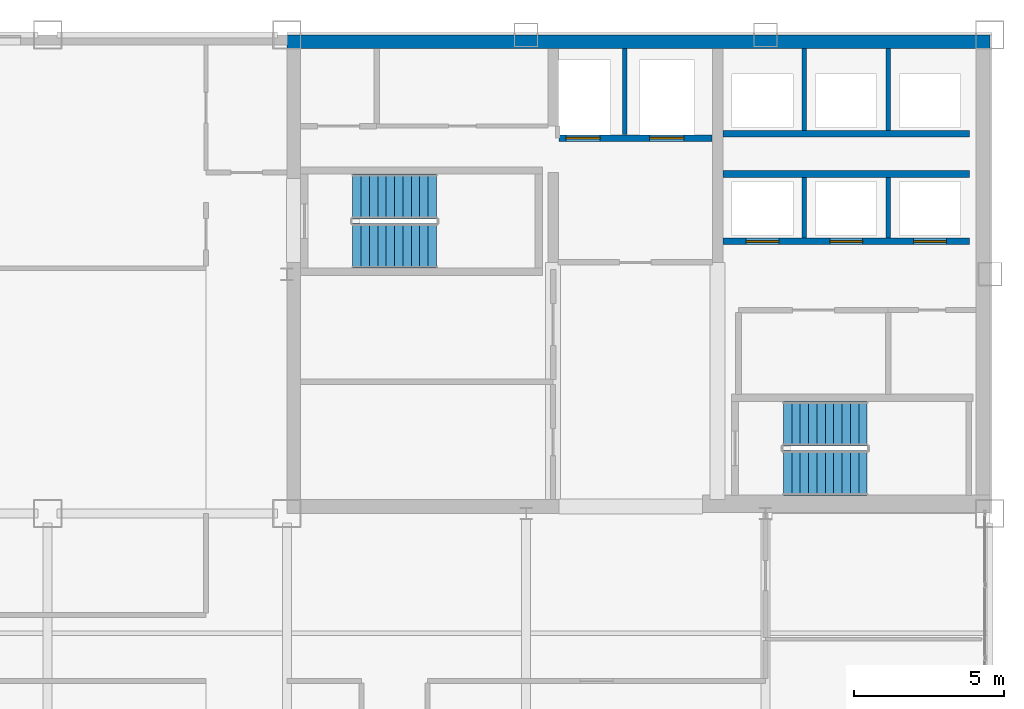
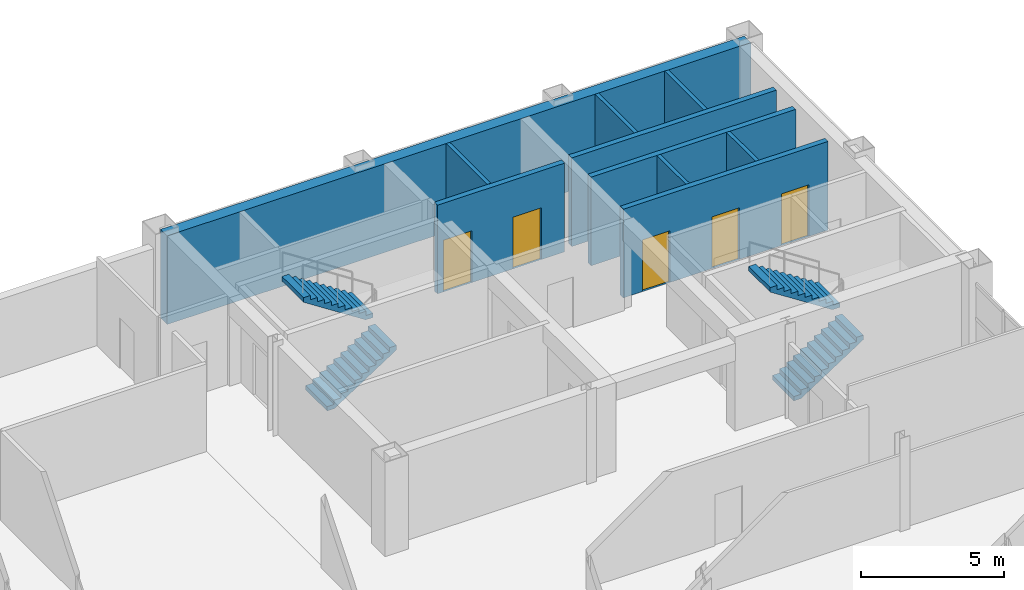
# One storey, part 10 of 12: 10 walls, 5 doors, 4 stair flights, 5 openings, 2 elements without a shape of their own.
"""IFC4 building model written with IfcOpenShell, lengths in metres."""

from ifc_helpers import new_model, si_unit, direction, frame, frame_2d, origin, place, context, subcontext, project, spatial, polyline, rectangle, outline, extrude, material, layer, layer_set, type_object, element, fill, aggregate, save


model = new_model("IFC4")

# Units and contexts
model_context = context("Model", 3, precision=1e-05, world=origin(), true_north=direction((0.0, 1.0)))
body_context = subcontext(model_context, "Body", "Model", "MODEL_VIEW")
ifc_project = project(units=[si_unit("LENGTHUNIT", "METRE"), si_unit("AREAUNIT", "SQUARE_METRE"), si_unit("VOLUMEUNIT", "CUBIC_METRE"), si_unit("PLANEANGLEUNIT", "RADIAN"), si_unit("MASSUNIT", "GRAM", prefix="KILO")], contexts=[model_context])

# Site, building, storey
site_placement = place(None, origin())
site = spatial("IfcSite", under=ifc_project, at=site_placement, CompositionType="ELEMENT")
building_placement = place(site_placement, origin())
building = spatial("IfcBuilding", under=site, at=building_placement, Name="Qianrong Seaharbour Tower", CompositionType="ELEMENT")
storey_placement = place(building_placement, frame((0.0, 0.0, 213.800048828125)))
storey = spatial("IfcBuildingStorey", under=building, at=storey_placement, Name="L51", CompositionType="ELEMENT", Elevation=213.800048828125)

# Walls
ifc_material_1 = material(Name="Concrete C60/75", Category="concrete")
ifc_layer_1 = layer(ifc_material_1, 0.4599609375)
ifc_layer_set_1 = layer_set([ifc_layer_1], Name="Concrete C60/75")
wall_type_1 = type_object("IfcWallType", Name="WALL-CORE-460", PredefinedType="SHEAR", material=ifc_layer_set_1)
wall_1_placement = place(storey_placement, frame((40.5, 51.77001953125, 0.0), z_axis=(0.0, 0.0, 1.0), x_axis=(1.0, 0.0, 0.0)))
element("IfcWall", 1, at=wall_1_placement, inside=storey, type_object=wall_type_1, Name="L51 North Core Shear Wall", PredefinedType="SHEAR", context=body_context, shape_type="SweptSolid", body=[
    extrude(rectangle(XDim=23.5, YDim=0.4599609375, at=frame_2d((11.75, 0.0))), origin(), (0.0, 0.0, 1.0), 3.77490234375),
])
ifc_material_2 = material(Name="Fire-rated gypsum board on steel studs", Category="steel")
ifc_layer_2 = layer(ifc_material_2, 0.14990234375)
ifc_layer_set_2 = layer_set([ifc_layer_2], Name="Fire-rated gypsum board on steel studs")
wall_type_2 = type_object("IfcWallType", Name="WALL-SHAFT-DIV-150", PredefinedType="PARTITIONING", material=ifc_layer_set_2)
wall_2_placement = place(storey_placement, frame((51.800048828125, 48.669921875, 0.0), z_axis=(0.0, 0.0, 1.0), x_axis=(0.0, 1.0, 0.0)))
element("IfcWall", 2, at=wall_2_placement, inside=storey, type_object=wall_type_2, Name="L51 Firefighting Lift Shaft Divider Wall", PredefinedType="PARTITIONING", context=body_context, shape_type="SweptSolid", body=[
    extrude(rectangle(XDim=2.8701171875, YDim=0.14990234375, at=frame_2d((1.43505859375, 0.0))), origin(), (0.0, 0.0, 1.0), 3.77490234375),
])
for number, where, z_axis, x_axis, name in (
    (3, (57.800048828125, 45.2099609375, 0.0), (0.0, 0.0, 1.0), (0.0, 1.0, 0.0), "L51 P3 Lift Hoistway Divider 2"),
    (4, (60.60009765625, 45.2099609375, 0.0), (0.0, 0.0, 1.0), (0.0, 1.0, 0.0), "L51 P3 Lift Hoistway Divider 3"),
):
    element("IfcWall", number, at=place(storey_placement, frame(where, z_axis=z_axis, x_axis=x_axis)), inside=storey, type_object=wall_type_2, Name=name, PredefinedType="PARTITIONING", context=body_context, shape_type="SweptSolid", body=[
        extrude(rectangle(XDim=2.030029296875, YDim=0.14990234375, at=frame_2d((1.01513671875, 0.0))), origin(), (0.0, 0.0, 1.0), 3.77490234375),
    ])
for number, where, z_axis, x_axis, name in (
    (5, (57.800048828125, 48.81005859375, 0.0), (0.0, 0.0, 1.0), (0.0, 1.0, 0.0), "L51 P4 Lift Hoistway Divider 2"),
    (6, (60.60009765625, 48.81005859375, 0.0), (0.0, 0.0, 1.0), (0.0, 1.0, 0.0), "L51 P4 Lift Hoistway Divider 3"),
):
    element("IfcWall", number, at=place(storey_placement, frame(where, z_axis=z_axis, x_axis=x_axis)), inside=storey, type_object=wall_type_2, Name=name, PredefinedType="PARTITIONING", context=body_context, shape_type="SweptSolid", body=[
        extrude(rectangle(XDim=2.72998046875, YDim=0.14990234375, at=frame_2d((1.364990234375, 0.0))), origin(), (0.0, 0.0, 1.0), 3.77490234375),
    ])

# Wall, openings, doors
ifc_layer_3 = layer(ifc_material_2, 0.219970703125)
ifc_layer_set_3 = layer_set([ifc_layer_3], Name="Fire-rated gypsum board on steel studs")
wall_type_3 = type_object("IfcWallType", Name="WALL-SHAFT-GYP220", PredefinedType="PARTITIONING", material=ifc_layer_set_3)
wall_3_placement = place(storey_placement, frame((54.7099609375, 48.550048828125, 0.0), z_axis=(0.0, 0.0, 1.0), x_axis=(-1.0, 0.0, 0.0)))
wall_3 = element("IfcWall", 7, at=wall_3_placement, inside=storey, type_object=wall_type_3, Name="L51 Firefighting Lift Shaft Front Wall", PredefinedType="PARTITIONING", context=body_context, shape_type="SweptSolid", body=[
    extrude(rectangle(XDim=5.119873046875, YDim=0.219970703125, at=frame_2d((2.56005859375, 0.0))), origin(), (0.0, 0.0, 1.0), 3.77490234375),
])
opening_1_placement = place(wall_3_placement, frame((3.735107421875, 0.0, 0.0)))
opening_1 = element("IfcOpeningElement", 8, at=opening_1_placement, cuts=wall_3, Name="Opening LD-01", PredefinedType="OPENING", context=body_context, shape_type="SweptSolid", body=[
    extrude(rectangle(XDim=1.14990234375, YDim=2.199951171875, at=frame_2d((0.574951171875, 1.10009765625))), frame((0.0, 0.1201171875, 0.0), z_axis=(0.0, -1.0, 0.0), x_axis=(1.0, 0.0, 0.0)), (0.0, 0.0, 1.0), 0.239990234375),
])
opening_2_placement = place(wall_3_placement, frame((0.93505859375, 0.0, 0.0)))
opening_2 = element("IfcOpeningElement", 9, at=opening_2_placement, cuts=wall_3, Name="Opening LD-01", PredefinedType="OPENING", context=body_context, shape_type="SweptSolid", body=[
    extrude(rectangle(XDim=1.14990234375, YDim=2.199951171875, at=frame_2d((0.574951171875, 1.10009765625))), frame((0.0, 0.1201171875, 0.0), z_axis=(0.0, -1.0, 0.0), x_axis=(1.0, 0.0, 0.0)), (0.0, 0.0, 1.0), 0.239990234375),
])
ifc_material_3 = material(Name="Stainless steel SUS316L bi-parting lift landing door", Category="steel")
door_type_1 = type_object("IfcDoorType", Name="DOOR-LIFT-FF-1150x2200", OperationType="DOUBLE_DOOR_SLIDING", PredefinedType="DOOR", material=ifc_material_3)
door_1_placement = place(opening_1_placement, origin())
door_1 = element("IfcDoor", 10, at=door_1_placement, inside=storey, type_object=door_type_1, Name="L51 FL-1 Firefighting Lift Landing Door", OperationType="DOUBLE_DOOR_SLIDING", OverallHeight=2.199951171875, OverallWidth=1.14990234375, PredefinedType="DOOR", context=body_context, shape_type="SweptSolid", body=[
    extrude(rectangle(XDim=1.14990234375, YDim=2.199951171875, at=frame_2d((0.574951171875, 1.10009765625))), frame((0.0, 0.02490234375, 0.0), z_axis=(0.0, -1.0, 0.0), x_axis=(1.0, 0.0, 0.0)), (0.0, 0.0, 1.0), 0.050048828125),
])
fill(opening_1, door_1)
door_2_placement = place(opening_2_placement, origin())
door_2 = element("IfcDoor", 11, at=door_2_placement, inside=storey, type_object=door_type_1, Name="L51 FL-2 Firefighting Lift Landing Door", OperationType="DOUBLE_DOOR_SLIDING", OverallHeight=2.199951171875, OverallWidth=1.14990234375, PredefinedType="DOOR", context=body_context, shape_type="SweptSolid", body=[
    extrude(rectangle(XDim=1.14990234375, YDim=2.199951171875, at=frame_2d((0.574951171875, 1.10009765625))), frame((0.0, 0.02490234375, 0.0), z_axis=(0.0, -1.0, 0.0), x_axis=(1.0, 0.0, 0.0)), (0.0, 0.0, 1.0), 0.050048828125),
])
fill(opening_2, door_2)

wall_4_placement = place(storey_placement, frame((63.320068359375, 45.10009765625, 0.0), z_axis=(0.0, 0.0, 1.0), x_axis=(-1.0, 0.0, 0.0)))
wall_4 = element("IfcWall", 12, at=wall_4_placement, inside=storey, type_object=wall_type_3, Name="L51 P3 Lift Hoistway Front Wall", PredefinedType="PARTITIONING", context=body_context, shape_type="SweptSolid", body=[
    extrude(rectangle(XDim=8.239990234375, YDim=0.219970703125, at=frame_2d((4.1201171875, 0.0))), origin(), (0.0, 0.0, 1.0), 3.77490234375),
])
opening_3_placement = place(wall_4_placement, frame((6.3701171875, 0.0, 0.0)))
opening_3 = element("IfcOpeningElement", 13, at=opening_3_placement, cuts=wall_4, Name="Opening LD-02", PredefinedType="OPENING", context=body_context, shape_type="SweptSolid", body=[
    extrude(rectangle(XDim=1.10009765625, YDim=2.199951171875, at=frame_2d((0.550048828125, 1.10009765625))), frame((0.0, 0.1201171875, 0.0), z_axis=(0.0, -1.0, 0.0), x_axis=(1.0, 0.0, 0.0)), (0.0, 0.0, 1.0), 0.239990234375),
])
opening_4_placement = place(wall_4_placement, frame((3.570068359375, 0.0, 0.0)))
opening_4 = element("IfcOpeningElement", 14, at=opening_4_placement, cuts=wall_4, Name="Opening LD-02", PredefinedType="OPENING", context=body_context, shape_type="SweptSolid", body=[
    extrude(rectangle(XDim=1.10009765625, YDim=2.199951171875, at=frame_2d((0.550048828125, 1.10009765625))), frame((0.0, 0.1201171875, 0.0), z_axis=(0.0, -1.0, 0.0), x_axis=(1.0, 0.0, 0.0)), (0.0, 0.0, 1.0), 0.239990234375),
])
opening_5_placement = place(wall_4_placement, frame((0.77001953125, 0.0, 0.0)))
opening_5 = element("IfcOpeningElement", 15, at=opening_5_placement, cuts=wall_4, Name="Opening LD-02", PredefinedType="OPENING", context=body_context, shape_type="SweptSolid", body=[
    extrude(rectangle(XDim=1.10009765625, YDim=2.199951171875, at=frame_2d((0.550048828125, 1.10009765625))), frame((0.0, 0.1201171875, 0.0), z_axis=(0.0, -1.0, 0.0), x_axis=(1.0, 0.0, 0.0)), (0.0, 0.0, 1.0), 0.239990234375),
])
door_type_2 = type_object("IfcDoorType", Name="DOOR-LIFT-PASS-1100x2200", OperationType="DOUBLE_DOOR_SLIDING", PredefinedType="DOOR", material=ifc_material_3)
door_3_placement = place(opening_3_placement, origin())
door_3 = element("IfcDoor", 16, at=door_3_placement, inside=storey, type_object=door_type_2, Name="L51 PL-3A Lift Landing Door", OperationType="DOUBLE_DOOR_SLIDING", OverallHeight=2.199951171875, OverallWidth=1.10009765625, PredefinedType="DOOR", context=body_context, shape_type="SweptSolid", body=[
    extrude(rectangle(XDim=1.10009765625, YDim=2.199951171875, at=frame_2d((0.550048828125, 1.10009765625))), frame((0.0, 0.02490234375, 0.0), z_axis=(0.0, -1.0, 0.0), x_axis=(1.0, 0.0, 0.0)), (0.0, 0.0, 1.0), 0.050048828125),
])
fill(opening_3, door_3)
door_4_placement = place(opening_4_placement, origin())
door_4 = element("IfcDoor", 17, at=door_4_placement, inside=storey, type_object=door_type_2, Name="L51 PL-3B Lift Landing Door", OperationType="DOUBLE_DOOR_SLIDING", OverallHeight=2.199951171875, OverallWidth=1.10009765625, PredefinedType="DOOR", context=body_context, shape_type="SweptSolid", body=[
    extrude(rectangle(XDim=1.10009765625, YDim=2.199951171875, at=frame_2d((0.550048828125, 1.10009765625))), frame((0.0, 0.02490234375, 0.0), z_axis=(0.0, -1.0, 0.0), x_axis=(1.0, 0.0, 0.0)), (0.0, 0.0, 1.0), 0.050048828125),
])
fill(opening_4, door_4)
door_5_placement = place(opening_5_placement, origin())
door_5 = element("IfcDoor", 18, at=door_5_placement, inside=storey, type_object=door_type_2, Name="L51 PL-3C Lift Landing Door", OperationType="DOUBLE_DOOR_SLIDING", OverallHeight=2.199951171875, OverallWidth=1.10009765625, PredefinedType="DOOR", context=body_context, shape_type="SweptSolid", body=[
    extrude(rectangle(XDim=1.10009765625, YDim=2.199951171875, at=frame_2d((0.550048828125, 1.10009765625))), frame((0.0, 0.02490234375, 0.0), z_axis=(0.0, -1.0, 0.0), x_axis=(1.0, 0.0, 0.0)), (0.0, 0.0, 1.0), 0.050048828125),
])
fill(opening_5, door_5)

# Walls
for number, where, z_axis, x_axis, name in (
    (19, (55.080078125, 47.35009765625, 0.0), (0.0, 0.0, 1.0), (1.0, 0.0, 0.0), "L51 P3 Lift Hoistway Back Wall"),
    (20, (63.320068359375, 48.699951171875, 0.0), (0.0, 0.0, 1.0), (-1.0, 0.0, 0.0), "L51 P4 Lift Hoistway Front Wall"),
):
    element("IfcWall", number, at=place(storey_placement, frame(where, z_axis=z_axis, x_axis=x_axis)), inside=storey, type_object=wall_type_3, Name=name, PredefinedType="PARTITIONING", context=body_context, shape_type="SweptSolid", body=[
        extrude(rectangle(XDim=8.239990234375, YDim=0.219970703125, at=frame_2d((4.1201171875, 0.0))), origin(), (0.0, 0.0, 1.0), 3.77490234375),
    ])

# Stair, stair flights
ifc_material_4 = material(Name="Concrete C50/60", Category="concrete")
stair_type = type_object("IfcStairType", Name="STAIR-DOGLEG-1500-R22", PredefinedType="HALF_TURN_STAIR", material=ifc_material_4)
stair_1_placement = place(storey_placement, origin())
stair_1 = element("IfcStair", 21, at=stair_1_placement, inside=storey, type_object=stair_type, Name="L51 Protected Escape Stair ST-1", PredefinedType="HALF_TURN_STAIR")
stair_flight_type = type_object("IfcStairFlightType", Name="FLIGHT-STR-1500-R22", PredefinedType="STRAIGHT", material=ifc_material_4)
stair_flight_1_placement = place(storey_placement, frame((42.699951171875, 44.949951171875, 0.0), z_axis=(0.0, 0.0, 1.0), x_axis=(1.0, 0.0, 0.0)))
stair_flight_1 = element("IfcStairFlight", 22, at=stair_flight_1_placement, type_object=stair_flight_type, Name="ST-1 flight 1", NumberOfRisers=11, NumberOfTreads=10, PredefinedType="STRAIGHT", RiserHeight=0.181818182, TreadLength=0.28, context=body_context, shape_type="SweptSolid", body=[
    extrude(outline(polyline([(0.0, 0.0), (0.0, 0.181884765625), (0.280029296875, 0.181884765625), (0.280029296875, 0.363525390625), (0.56005859375, 0.363525390625), (0.56005859375, 0.54541015625), (0.840087890625, 0.54541015625), (0.840087890625, 0.727294921875), (1.1201171875, 0.727294921875), (1.1201171875, 0.9091796875), (1.39990234375, 0.9091796875), (1.39990234375, 1.0908203125), (1.679931640625, 1.0908203125), (1.679931640625, 1.272705078125), (1.9599609375, 1.272705078125), (1.9599609375, 1.45458984375), (2.239990234375, 1.45458984375), (2.239990234375, 1.636474609375), (2.52001953125, 1.636474609375), (2.52001953125, 1.818115234375), (2.800048828125, 1.818115234375), (2.800048828125, 2.0), (2.800048828125, 1.62744140625), (0.293701171875, 0.0), (0.0, 0.0)])), frame((0.0, 0.75, 0.0), z_axis=(0.0, -1.0, 0.0), x_axis=(1.0, 0.0, 0.0)), (0.0, 0.0, 1.0), 1.5),
])
stair_flight_2_placement = place(storey_placement, frame((45.5, 46.60009765625, 2.0), z_axis=(0.0, 0.0, 1.0), x_axis=(-1.0, 0.0, 0.0)))
stair_flight_2 = element("IfcStairFlight", 23, at=stair_flight_2_placement, type_object=stair_flight_type, Name="ST-1 flight 2", NumberOfRisers=11, NumberOfTreads=10, PredefinedType="STRAIGHT", RiserHeight=0.181818182, TreadLength=0.28, context=body_context, shape_type="SweptSolid", body=[
    extrude(outline(polyline([(0.0, 0.0), (0.0, 0.181884765625), (0.280029296875, 0.181884765625), (0.280029296875, 0.363525390625), (0.56005859375, 0.363525390625), (0.56005859375, 0.54541015625), (0.840087890625, 0.54541015625), (0.840087890625, 0.727294921875), (1.1201171875, 0.727294921875), (1.1201171875, 0.9091796875), (1.39990234375, 0.9091796875), (1.39990234375, 1.0908203125), (1.679931640625, 1.0908203125), (1.679931640625, 1.272705078125), (1.9599609375, 1.272705078125), (1.9599609375, 1.45458984375), (2.239990234375, 1.45458984375), (2.239990234375, 1.636474609375), (2.52001953125, 1.636474609375), (2.52001953125, 1.818115234375), (2.800048828125, 1.818115234375), (2.800048828125, 2.0), (2.800048828125, 1.62744140625), (0.293701171875, 0.0), (0.0, 0.0)])), frame((0.0, 0.75, 0.0), z_axis=(0.0, -1.0, 0.0), x_axis=(1.0, 0.0, 0.0)), (0.0, 0.0, 1.0), 1.5),
])
aggregate(stair_1, [stair_flight_1, stair_flight_2])

stair_2_placement = place(storey_placement, origin())
stair_2 = element("IfcStair", 24, at=stair_2_placement, inside=storey, type_object=stair_type, Name="L51 Protected Escape Stair ST-2", PredefinedType="HALF_TURN_STAIR")
stair_flight_3_placement = place(storey_placement, frame((57.10009765625, 37.35009765625, 0.0), z_axis=(0.0, 0.0, 1.0), x_axis=(1.0, 0.0, 0.0)))
stair_flight_3 = element("IfcStairFlight", 25, at=stair_flight_3_placement, type_object=stair_flight_type, Name="ST-2 flight 1", NumberOfRisers=11, NumberOfTreads=10, PredefinedType="STRAIGHT", RiserHeight=0.181818182, TreadLength=0.28, context=body_context, shape_type="SweptSolid", body=[
    extrude(outline(polyline([(0.0, 0.0), (0.0, 0.181884765625), (0.280029296875, 0.181884765625), (0.280029296875, 0.363525390625), (0.56005859375, 0.363525390625), (0.56005859375, 0.54541015625), (0.840087890625, 0.54541015625), (0.840087890625, 0.727294921875), (1.1201171875, 0.727294921875), (1.1201171875, 0.9091796875), (1.39990234375, 0.9091796875), (1.39990234375, 1.0908203125), (1.679931640625, 1.0908203125), (1.679931640625, 1.272705078125), (1.9599609375, 1.272705078125), (1.9599609375, 1.45458984375), (2.239990234375, 1.45458984375), (2.239990234375, 1.636474609375), (2.52001953125, 1.636474609375), (2.52001953125, 1.818115234375), (2.800048828125, 1.818115234375), (2.800048828125, 2.0), (2.800048828125, 1.62744140625), (0.293701171875, 0.0), (0.0, 0.0)])), frame((0.0, 0.75, 0.0), z_axis=(0.0, -1.0, 0.0), x_axis=(1.0, 0.0, 0.0)), (0.0, 0.0, 1.0), 1.5),
])
stair_flight_4_placement = place(storey_placement, frame((59.89990234375, 39.0, 2.0), z_axis=(0.0, 0.0, 1.0), x_axis=(-1.0, 0.0, 0.0)))
stair_flight_4 = element("IfcStairFlight", 26, at=stair_flight_4_placement, type_object=stair_flight_type, Name="ST-2 flight 2", NumberOfRisers=11, NumberOfTreads=10, PredefinedType="STRAIGHT", RiserHeight=0.181818182, TreadLength=0.28, context=body_context, shape_type="SweptSolid", body=[
    extrude(outline(polyline([(0.0, 0.0), (0.0, 0.181884765625), (0.280029296875, 0.181884765625), (0.280029296875, 0.363525390625), (0.56005859375, 0.363525390625), (0.56005859375, 0.54541015625), (0.840087890625, 0.54541015625), (0.840087890625, 0.727294921875), (1.1201171875, 0.727294921875), (1.1201171875, 0.9091796875), (1.39990234375, 0.9091796875), (1.39990234375, 1.0908203125), (1.679931640625, 1.0908203125), (1.679931640625, 1.272705078125), (1.9599609375, 1.272705078125), (1.9599609375, 1.45458984375), (2.239990234375, 1.45458984375), (2.239990234375, 1.636474609375), (2.52001953125, 1.636474609375), (2.52001953125, 1.818115234375), (2.800048828125, 1.818115234375), (2.800048828125, 2.0), (2.800048828125, 1.62744140625), (0.293701171875, 0.0), (0.0, 0.0)])), frame((0.0, 0.75, 0.0), z_axis=(0.0, -1.0, 0.0), x_axis=(1.0, 0.0, 0.0)), (0.0, 0.0, 1.0), 1.5),
])
aggregate(stair_2, [stair_flight_3, stair_flight_4])

save(model, "model.ifc")
